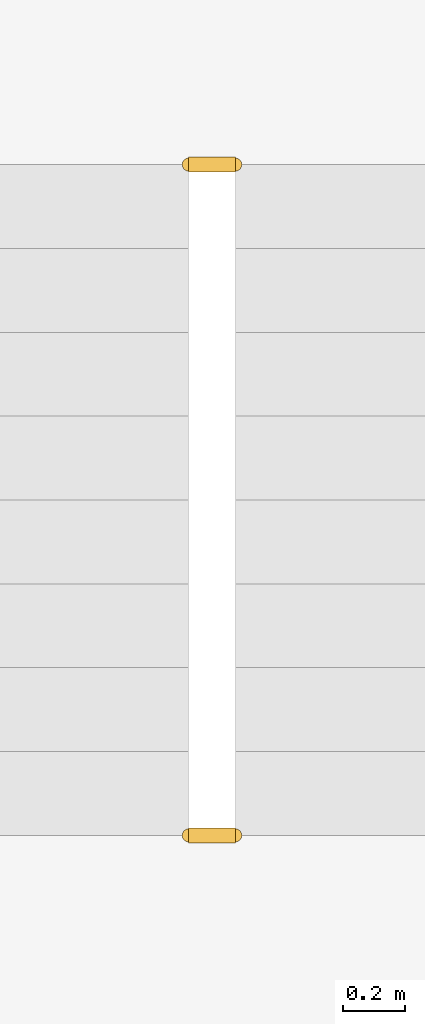
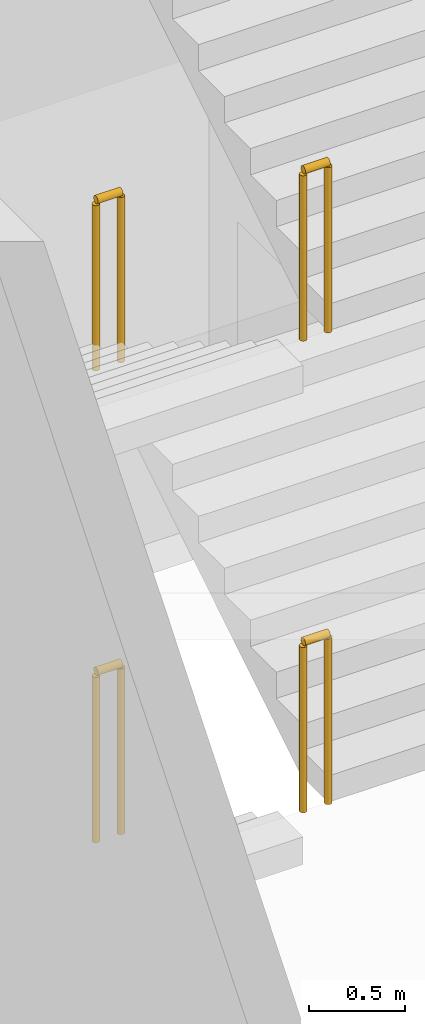
# One storey, part 25 of 25: 4 railings.
"""IFC4 building model written with IfcOpenShell, lengths in metres."""

from ifc_helpers import new_model, si_unit, direction, frame, origin, origin_2d, place, context, subcontext, project, spatial, circle, extrude, material, type_object, element, save


model = new_model("IFC4")

# Units and contexts
model_context = context("Model", 3, precision=1e-05, world=origin(), true_north=direction((0.0, 1.0)))
body_context = subcontext(model_context, "Body", "Model", "MODEL_VIEW")
ifc_project = project(units=[si_unit("LENGTHUNIT", "METRE"), si_unit("AREAUNIT", "SQUARE_METRE"), si_unit("VOLUMEUNIT", "CUBIC_METRE"), si_unit("PLANEANGLEUNIT", "RADIAN"), si_unit("MASSUNIT", "GRAM", prefix="KILO")], contexts=[model_context])

# Site, building, storey
site_placement = place(None, origin())
site = spatial("IfcSite", under=ifc_project, at=site_placement, CompositionType="ELEMENT")
building_placement = place(site_placement, origin())
building = spatial("IfcBuilding", under=site, at=building_placement, Name="Isbrekke Arena Tower", CompositionType="ELEMENT")
storey_placement = place(building_placement, frame((0.0, 0.0, 6.0)))
storey = spatial("IfcBuildingStorey", under=building, at=storey_placement, Name="L01", CompositionType="ELEMENT", Elevation=6.0)

# Railings
ifc_material = material(Name="Steel stair guard, vertical bars, steel handrail", Category="steel")
railing_type = type_object("IfcRailingType", Name="GR3 STAIR WELL GUARD 1100", PredefinedType="GUARDRAIL", material=ifc_material)
for number, where, name in (
    (1, (45.925048828125, 35.675048828125, 0.0), "GR3 stair well guard P1 L01"),
    (2, (45.925048828125, 33.514892578125, 1.5), "GR3 stair well guard P1 L01"),
    (3, (45.925048828125, 35.675048828125, 3.0), "GR3 stair well guard P1 L01"),
    (4, (45.925048828125, 33.514892578125, 4.5), "GR3 stair well guard P1 L01"),
):
    element("IfcRailing", number, at=place(storey_placement, frame(where)), inside=storey, type_object=railing_type, Name=name, PredefinedType="GUARDRAIL", context=body_context, shape_type="SweptSolid", body=[
        extrude(circle(Radius=0.02392578125, at=origin_2d()), frame((0.0, 0.0, 1.076171875), z_axis=(1.0, 0.0, 0.0), x_axis=(0.0, 1.0, 0.0)), (0.0, 0.0, 1.0), 0.14990234375),
        extrude(circle(Radius=0.02099609375, at=origin_2d()), origin(), (0.0, 0.0, 1.0), 1.052001953125),
        extrude(circle(Radius=0.02099609375, at=origin_2d()), frame((0.14990234375, 0.0, 0.0)), (0.0, 0.0, 1.0), 1.052001953125),
    ])

save(model, "model.ifc")
